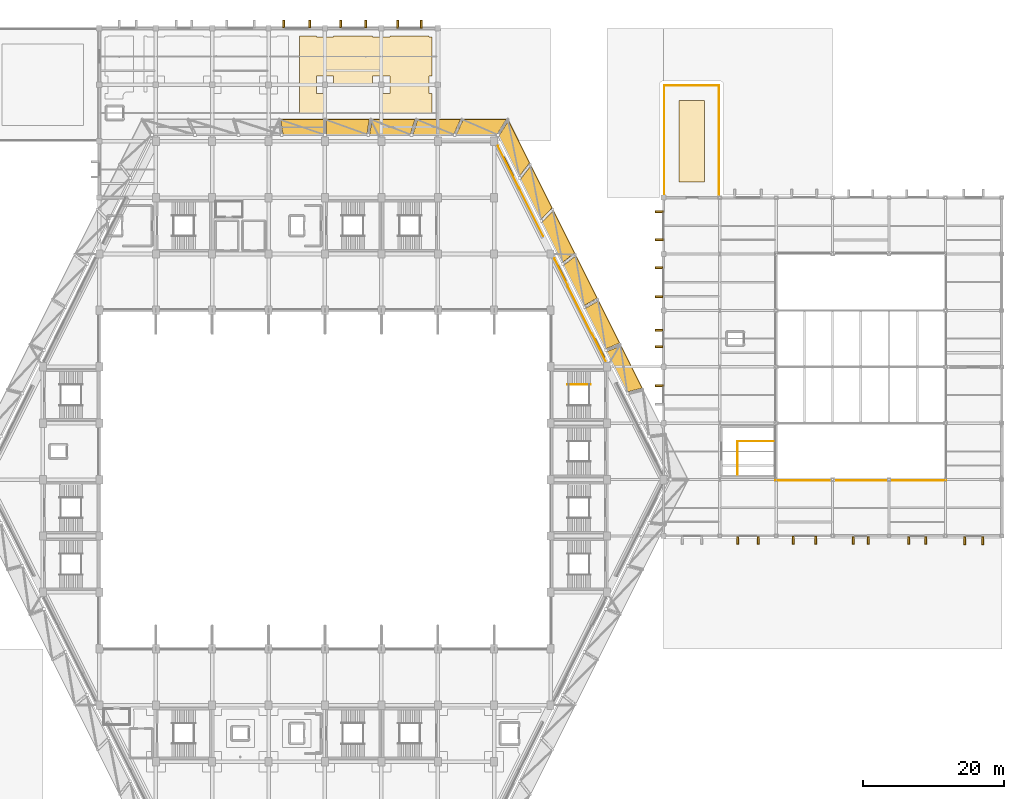
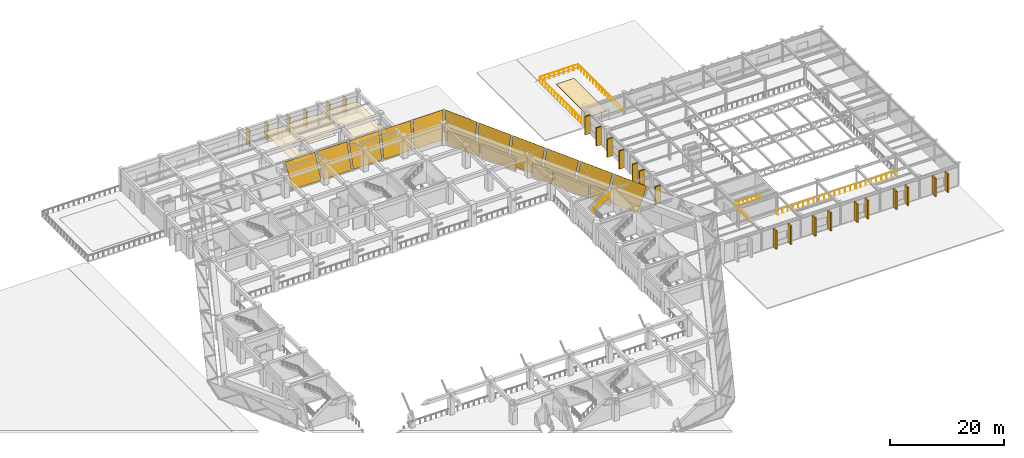
# One storey, part 45 of 46: 41 coverings, 7 railings, 3 shading devices.
"""IFC4 building model written with IfcOpenShell, lengths in metres."""

from ifc_helpers import new_model, si_unit, direction, frame, origin, origin_2d, place, context, subcontext, project, spatial, polyline, rectangle, circle, outline, extrude, material, layer, layer_set, type_object, element, save


model = new_model("IFC4")

# Units and contexts
model_context = context("Model", 3, precision=1e-05, world=origin(), true_north=direction((0.0, 1.0)))
body_context = subcontext(model_context, "Body", "Model", "MODEL_VIEW")
ifc_project = project(units=[si_unit("LENGTHUNIT", "METRE"), si_unit("AREAUNIT", "SQUARE_METRE"), si_unit("VOLUMEUNIT", "CUBIC_METRE"), si_unit("PLANEANGLEUNIT", "RADIAN"), si_unit("MASSUNIT", "GRAM", prefix="KILO")], contexts=[model_context])

# Site, building, storey
site_placement = place(None, origin())
site = spatial("IfcSite", under=ifc_project, at=site_placement, CompositionType="ELEMENT")
building_placement = place(site_placement, origin())
building = spatial("IfcBuilding", under=site, at=building_placement, Name="Tazarka Park Arena", CompositionType="ELEMENT")
storey_placement = place(building_placement, frame((0.0, 0.0, 10.199951171875)))
storey = spatial("IfcBuildingStorey", under=building, at=storey_placement, Name="L02", CompositionType="ELEMENT", Elevation=10.199951171875)

# Coverings
ifc_material_1 = material(Name="Dark ribbed perforated bronze-charcoal aluminium mesh", Category="aluminium")
ifc_layer_1 = layer(ifc_material_1, 0.06005859375, Name="Dark ribbed perforated bronze-charcoal aluminium mesh")
ifc_layer_set_1 = layer_set([ifc_layer_1], Name="Dark ribbed perforated bronze-charcoal aluminium mesh")
covering_type_1 = type_object("IfcCoveringType", Name="CLD-01", PredefinedType="CLADDING", material=ifc_layer_set_1)
covering_1_placement = place(storey_placement, frame((130.7958984375, 76.420654296875, 0.150146484375), z_axis=(-0.808492620467, -0.404263181245, 0.427680912526), x_axis=(-0.447225795617, 0.894421090814, 6.453659e-06)))
element("IfcCovering", 1, at=covering_1_placement, inside=storey, type_object=covering_type_1, Name="Folded Gem Lower Ribbed Mesh Facet 019", PredefinedType="CLADDING", context=body_context, shape_type="SweptSolid", body=[
    extrude(outline(polyline([(0.0, 0.0), (6.396486447603053, 0.0), (6.209019226510527, -5.144052563182119), (-0.475273629736041, -5.1441459541580175), (0.0, 0.0)])), origin(), (0.0, 0.0, -1.0), 0.080078125),
])
covering_2_placement = place(storey_placement, frame((127.73974609375, 82.533203125, 0.150146484375), z_axis=(-0.80849196679, -0.404254418718, 0.427690430782), x_axis=(-0.44722528058, 0.894421348309, -9.970868e-06)))
element("IfcCovering", 2, at=covering_2_placement, inside=storey, type_object=covering_type_1, Name="Folded Gem Lower Ribbed Mesh Facet 020", PredefinedType="CLADDING", context=body_context, shape_type="SweptSolid", body=[
    extrude(outline(polyline([(0.0, 0.0), (6.39659563332699, 0.0), (6.516512649140221, -5.144194402880329), (-0.1678893855664021, -5.144050111201226), (0.0, 0.0)])), origin(), (0.0, 0.0, -1.0), 0.080078125),
])
covering_3_placement = place(storey_placement, frame((124.683349609375, 88.6455078125, 0.150146484375), z_axis=(-0.808506063498, -0.404236161161, 0.427681039207), x_axis=(-0.447198603137, 0.894434687024, 1.45126e-07)))
element("IfcCovering", 3, at=covering_3_placement, inside=storey, type_object=covering_type_1, Name="Folded Gem Lower Ribbed Mesh Facet 021", PredefinedType="CLADDING", context=body_context, shape_type="SweptSolid", body=[
    extrude(outline(polyline([(0.0, 0.0), (6.39670481527617, 0.0), (6.824193838133479, -5.144096138167544), (0.13979180020671544, -5.144098238337328), (0.0, 0.0)])), origin(), (0.0, 0.0, -1.0), 0.080078125),
])
covering_4_placement = place(storey_placement, frame((121.627197265625, 94.758056640625, 0.150146484375), z_axis=(-0.808506336195, -0.404253168098, 0.427664448388), x_axis=(-0.447210803265, 0.894428587087, 6.598426e-06)))
element("IfcCovering", 4, at=covering_4_placement, inside=storey, type_object=covering_type_1, Name="Folded Gem Lower Ribbed Mesh Facet 022", PredefinedType="CLADDING", context=body_context, shape_type="SweptSolid", body=[
    extrude(outline(polyline([(0.0, 0.0), (6.39670481451516, 2.220446049250313e-16), (7.1316531821161675, -5.144000505618074), (0.4471419625926445, -5.144095993884061), (0.0, 0.0)])), origin(), (0.0, 0.0, -1.0), 0.080078125),
])
covering_5_placement = place(storey_placement, frame((118.57080078125, 100.87060546875, 0.150146484375), z_axis=(-0.808499205731, -0.404241167467, 0.427689271384), x_axis=(-0.447207495508, 0.894430240964, -3.226851e-06)))
element("IfcCovering", 5, at=covering_5_placement, inside=storey, type_object=covering_type_1, Name="Folded Gem Lower Ribbed Mesh Facet 023", PredefinedType="CLADDING", context=body_context, shape_type="SweptSolid", body=[
    extrude(outline(polyline([(0.0, 0.0), (6.396486448149249, 0.0), (7.438856613640228, -5.144145954896959), (0.7544545760501066, -5.144099258496368), (0.0, 0.0)])), origin(), (0.0, 0.0, -1.0), 0.080078125),
])
covering_6_placement = place(storey_placement, frame((115.5146484375, 106.983154296875, 0.150146484375), z_axis=(-0.808506336195, -0.404253168098, 0.427664448388), x_axis=(-0.4472135955, 0.894427191, 0.0)))
element("IfcCovering", 6, at=covering_6_placement, inside=storey, type_object=covering_type_1, Name="Folded Gem Lower Ribbed Mesh Facet 024", PredefinedType="CLADDING", context=body_context, shape_type="SweptSolid", body=[
    extrude(outline(polyline([(0.0, 0.0), (6.3964864483313075, 0.0), (7.746315960334721, -5.144052564035382), (1.0621322893124003, -5.144052564035382), (0.0, 0.0)])), origin(), (0.0, 0.0, -1.0), 0.080078125),
])
covering_7_placement = place(storey_placement, frame((112.35986328125, 112.89990234375, 0.150146484375), z_axis=(0.0, -0.903917504801, 0.427706844128), x_axis=(-1.0, 0.0, 0.0)))
element("IfcCovering", 7, at=covering_7_placement, inside=storey, type_object=covering_type_1, Name="Folded Gem Lower Ribbed Mesh Facet 025", PredefinedType="CLADDING", context=body_context, shape_type="SweptSolid", body=[
    extrude(outline(polyline([(0.0, 0.0), (5.746337890625, 0.0), (4.715576171875, -5.144166717706446), (-1.3486328125, -5.144166717706446), (0.0, 0.0)])), origin(), (0.0, 0.0, -1.0), 0.080078125),
])
covering_8_placement = place(storey_placement, frame((106.220703125, 112.89990234375, 0.150146484375), z_axis=(0.0, -0.903917504801, 0.427706844128), x_axis=(-1.0, 0.0, 0.0)))
element("IfcCovering", 8, at=covering_8_placement, inside=storey, type_object=covering_type_1, Name="Folded Gem Lower Ribbed Mesh Facet 026", PredefinedType="CLADDING", context=body_context, shape_type="SweptSolid", body=[
    extrude(outline(polyline([(0.0, 0.0), (5.74609375, 0.0), (5.055419921875, -5.144166717706446), (-1.0087890625, -5.144166717706446), (0.0, 0.0)])), origin(), (0.0, 0.0, -1.0), 0.080078125),
])
covering_9_placement = place(storey_placement, frame((100.081787109375, 112.89990234375, 0.150146484375), z_axis=(0.0, -0.903917504801, 0.427706844128), x_axis=(-1.0, 0.0, 0.0)))
element("IfcCovering", 9, at=covering_9_placement, inside=storey, type_object=covering_type_1, Name="Folded Gem Lower Ribbed Mesh Facet 027", PredefinedType="CLADDING", context=body_context, shape_type="SweptSolid", body=[
    extrude(outline(polyline([(0.0, 0.0), (5.746337890625, 0.0), (5.3955078125, -5.144166717706446), (-0.668701171875, -5.144166717706446), (0.0, 0.0)])), origin(), (0.0, 0.0, -1.0), 0.080078125),
])
covering_10_placement = place(storey_placement, frame((93.942626953125, 112.89990234375, 0.150146484375), z_axis=(0.0, -0.903917504801, 0.427706844128), x_axis=(-1.0, 0.0, 0.0)))
element("IfcCovering", 10, at=covering_10_placement, inside=storey, type_object=covering_type_1, Name="Folded Gem Lower Ribbed Mesh Facet 028", PredefinedType="CLADDING", context=body_context, shape_type="SweptSolid", body=[
    extrude(outline(polyline([(0.0, 0.0), (5.746337890625, 0.0), (5.7353515625, -5.144166717706446), (-0.328857421875, -5.144166717706446), (0.0, 0.0)])), origin(), (0.0, 0.0, -1.0), 0.080078125),
])
covering_11_placement = place(storey_placement, frame((87.8037109375, 112.89990234375, 0.150146484375), z_axis=(0.0, -0.903917504801, 0.427706844128), x_axis=(-1.0, 0.0, 0.0)))
element("IfcCovering", 11, at=covering_11_placement, inside=storey, type_object=covering_type_1, Name="Folded Gem Lower Ribbed Mesh Facet 029", PredefinedType="CLADDING", context=body_context, shape_type="SweptSolid", body=[
    extrude(outline(polyline([(0.0, 0.0), (5.746337890625, 0.0), (6.0751953125, -5.144166717706446), (0.010986328125, -5.144166717706446), (0.0, 0.0)])), origin(), (0.0, 0.0, -1.0), 0.080078125),
])
covering_12_placement = place(storey_placement, frame((114.015869140625, 108.359619140625, 0.0), z_axis=(0.0, 0.0, 1.0), x_axis=(0.447290848419, -0.89438856037, 0.0)))
element("IfcCovering", 12, at=covering_12_placement, inside=storey, type_object=covering_type_1, Name="Ribbed Metal Mesh Cladding EW-L02-0215", PredefinedType="CLADDING", context=body_context, shape_type="SweptSolid", body=[
    extrude(rectangle(XDim=6.718017578125, YDim=0.06005859375, at=origin_2d()), origin(), (0.0, 0.0, 1.0), 3.0),
])
covering_13_placement = place(storey_placement, frame((117.308349609375, 101.797119140625, 0.0), z_axis=(0.0, 0.0, 1.0), x_axis=(0.447290848419, -0.89438856037, 0.0)))
element("IfcCovering", 13, at=covering_13_placement, inside=storey, type_object=covering_type_1, Name="Ribbed Metal Mesh Cladding EW-L02-0216", PredefinedType="CLADDING", context=body_context, shape_type="SweptSolid", body=[
    extrude(rectangle(XDim=7.366455078125, YDim=0.06005859375, at=origin_2d()), origin(), (0.0, 0.0, 1.0), 3.0),
])
covering_14_placement = place(storey_placement, frame((121.46240234375, 93.511474609375, 0.0), z_axis=(0.0, 0.0, 1.0), x_axis=(0.447290848419, -0.89438856037, 0.0)))
element("IfcCovering", 14, at=covering_14_placement, inside=storey, type_object=covering_type_1, Name="Ribbed Metal Mesh Cladding EW-L02-0217", PredefinedType="CLADDING", context=body_context, shape_type="SweptSolid", body=[
    extrude(rectangle(XDim=4.16259765625, YDim=0.06005859375, at=origin_2d()), origin(), (0.0, 0.0, 1.0), 3.0),
])
covering_15_placement = place(storey_placement, frame((124.138671875, 88.0693359375, 0.0), z_axis=(0.0, 0.0, 1.0), x_axis=(0.447290848419, -0.89438856037, 0.0)))
element("IfcCovering", 15, at=covering_15_placement, inside=storey, type_object=covering_type_1, Name="Ribbed Metal Mesh Cladding EW-L02-0218", PredefinedType="CLADDING", context=body_context, shape_type="SweptSolid", body=[
    extrude(rectangle(XDim=7.36669921875, YDim=0.06005859375, at=origin_2d()), origin(), (0.0, 0.0, 1.0), 3.0),
])
covering_16_placement = place(storey_placement, frame((126.8955078125, 82.66748046875, 0.0), z_axis=(0.0, 0.0, 1.0), x_axis=(0.447290848419, -0.89438856037, 0.0)))
element("IfcCovering", 16, at=covering_16_placement, inside=storey, type_object=covering_type_1, Name="Ribbed Metal Mesh Cladding EW-L02-0219", PredefinedType="CLADDING", context=body_context, shape_type="SweptSolid", body=[
    extrude(rectangle(XDim=4.16259765625, YDim=0.06005859375, at=origin_2d()), origin(), (0.0, 0.0, 1.0), 3.0),
])
for number, where, z_axis, x_axis, name in (
    (17, (98.344970703125, 128.60009765625, 0.0), (0.0, 0.0, 1.0), (1.0, 0.0, 0.0), "Window Reveal Brise-Soleil Fin L02-0031-1"),
    (18, (101.655029296875, 128.60009765625, 0.0), (0.0, 0.0, 1.0), (1.0, 0.0, 0.0), "Window Reveal Brise-Soleil Fin L02-0031-2"),
    (19, (90.2451171875, 128.610107421875, 0.0), (0.0, 0.0, 1.0), (1.0, 0.0, 0.0), "Window Reveal Brise-Soleil Fin L02-0032-1"),
    (20, (93.7548828125, 128.610107421875, 0.0), (0.0, 0.0, 1.0), (1.0, 0.0, 0.0), "Window Reveal Brise-Soleil Fin L02-0032-2"),
    (21, (82.14501953125, 128.6201171875, 0.0), (0.0, 0.0, 1.0), (1.0, 0.0, 0.0), "Window Reveal Brise-Soleil Fin L02-0033-1"),
    (22, (85.85498046875, 128.6201171875, 0.0), (0.0, 0.0, 1.0), (1.0, 0.0, 0.0), "Window Reveal Brise-Soleil Fin L02-0033-2"),
):
    element("IfcCovering", number, at=place(storey_placement, frame(where, z_axis=z_axis, x_axis=x_axis)), inside=storey, type_object=covering_type_1, Name=name, PredefinedType="CLADDING", context=body_context, shape_type="SweptSolid", body=[
        extrude(rectangle(XDim=0.280029296875, YDim=1.10009765625, at=origin_2d()), origin(), (0.0, 0.0, 1.0), 3.60009765625),
    ])
for number, where, z_axis, x_axis, name in (
    (23, (135.360107421875, 82.820068359375, 0.0), (0.0, 0.0, 1.0), (0.0, 1.0, 0.0), "Window Reveal Brise-Soleil Fin L02-0038-1"),
    (24, (135.360107421875, 85.179931640625, 0.0), (0.0, 0.0, 1.0), (0.0, 1.0, 0.0), "Window Reveal Brise-Soleil Fin L02-0038-2"),
    (25, (135.409912109375, 77.280029296875, 0.0), (0.0, 0.0, 1.0), (0.0, 1.0, 0.0), "Window Reveal Brise-Soleil Fin L02-0039-2"),
    (26, (149.47998046875, 55.375, 0.0), (0.0, 0.0, 1.0), (-1.0, 0.0, 0.0), "Window Reveal Brise-Soleil Fin L02-0041-1"),
    (27, (146.52001953125, 55.375, 0.0), (0.0, 0.0, 1.0), (-1.0, 0.0, 0.0), "Window Reveal Brise-Soleil Fin L02-0041-2"),
    (28, (157.580078125, 55.4150390625, 0.0), (0.0, 0.0, 1.0), (-1.0, 0.0, 0.0), "Window Reveal Brise-Soleil Fin L02-0042-1"),
    (29, (154.419921875, 55.4150390625, 0.0), (0.0, 0.0, 1.0), (-1.0, 0.0, 0.0), "Window Reveal Brise-Soleil Fin L02-0042-2"),
    (30, (165.080078125, 55.364990234375, 0.0), (0.0, 0.0, 1.0), (-1.0, 0.0, 0.0), "Window Reveal Brise-Soleil Fin L02-0043-1"),
    (31, (162.919921875, 55.364990234375, 0.0), (0.0, 0.0, 1.0), (-1.0, 0.0, 0.0), "Window Reveal Brise-Soleil Fin L02-0043-2"),
    (32, (173.179931640625, 55.35498046875, 0.0), (0.0, 0.0, 1.0), (-1.0, 0.0, 0.0), "Window Reveal Brise-Soleil Fin L02-0044-1"),
    (33, (170.820068359375, 55.35498046875, 0.0), (0.0, 0.0, 1.0), (-1.0, 0.0, 0.0), "Window Reveal Brise-Soleil Fin L02-0044-2"),
    (34, (181.280029296875, 55.344970703125, 0.0), (0.0, 0.0, 1.0), (-1.0, 0.0, 0.0), "Window Reveal Brise-Soleil Fin L02-0045-1"),
    (35, (178.719970703125, 55.344970703125, 0.0), (0.0, 0.0, 1.0), (-1.0, 0.0, 0.0), "Window Reveal Brise-Soleil Fin L02-0045-2"),
    (36, (135.4150390625, 98.02001953125, 0.0), (0.0, 0.0, 1.0), (0.0, 1.0, 0.0), "Window Reveal Brise-Soleil Fin L02-0051-1"),
    (37, (135.4150390625, 101.97998046875, 0.0), (0.0, 0.0, 1.0), (0.0, 1.0, 0.0), "Window Reveal Brise-Soleil Fin L02-0051-2"),
    (38, (135.364990234375, 89.919921875, 0.0), (0.0, 0.0, 1.0), (0.0, 1.0, 0.0), "Window Reveal Brise-Soleil Fin L02-0052-1"),
    (39, (135.364990234375, 94.080078125, 0.0), (0.0, 0.0, 1.0), (0.0, 1.0, 0.0), "Window Reveal Brise-Soleil Fin L02-0052-2"),
):
    element("IfcCovering", number, at=place(storey_placement, frame(where, z_axis=z_axis, x_axis=x_axis)), inside=storey, type_object=covering_type_1, Name=name, PredefinedType="CLADDING", context=body_context, shape_type="SweptSolid", body=[
        extrude(rectangle(XDim=0.280029296875, YDim=1.10009765625, at=origin_2d()), origin(), (0.0, 0.0, 1.0), 3.909912109375),
    ])
ifc_material_2 = material(Name="Linear slatted timber-acoustic ceiling", Category="wood")
ifc_layer_2 = layer(ifc_material_2, 0.050048828125, Name="Linear slatted timber-acoustic ceiling")
ifc_layer_set_2 = layer_set([ifc_layer_2], Name="Linear slatted timber-acoustic ceiling")
covering_type_2 = type_object("IfcCoveringType", Name="CLG-02", PredefinedType="CEILING", material=ifc_layer_set_2)
covering_17_placement = place(storey_placement, frame((0.0, 0.0, 3.10009765625)))
element("IfcCovering", 40, at=covering_17_placement, inside=storey, type_object=covering_type_2, Name="Acoustic Ceiling Hospitality Suite 203 8", PredefinedType="CEILING", context=body_context, shape_type="SweptSolid", body=[
    extrude(outline(polyline([(86.77490234375, 126.949951171875), (86.77490234375, 126.77490234375), (89.22509765625, 126.77490234375), (89.22509765625, 126.949951171875), (94.77490234375, 126.949951171875), (94.77490234375, 126.77490234375), (97.22509765625, 126.77490234375), (97.22509765625, 126.949951171875), (102.77490234375, 126.949951171875), (102.77490234375, 126.77490234375), (103.199951171875, 126.77490234375), (103.199951171875, 121.22509765625), (102.77490234375, 121.22509765625), (102.77490234375, 118.77490234375), (103.199951171875, 118.77490234375), (103.199951171875, 115.949951171875), (96.10009765625, 115.949951171875), (96.10009765625, 118.77490234375), (97.22509765625, 118.77490234375), (97.22509765625, 121.22509765625), (94.77490234375, 121.22509765625), (94.77490234375, 119.800048828125), (89.22509765625, 119.800048828125), (89.22509765625, 121.22509765625), (86.77490234375, 121.22509765625), (86.77490234375, 118.77490234375), (87.89990234375, 118.77490234375), (87.89990234375, 115.949951171875), (84.35009765625, 115.949951171875), (84.35009765625, 126.949951171875), (86.77490234375, 126.949951171875)])), origin(), (0.0, 0.0, 1.0), 0.050048828125),
])

# Railings
ifc_material_3 = material(Name="Galvanised powder-coated architectural steel", Category="steel")
railing_type_1 = type_object("IfcRailingType", Name="GRD-01", PredefinedType="GUARDRAIL", material=ifc_material_3)
railing_1_placement = place(storey_placement, frame((143.89990234375, 119.89990234375, 0.0)))
element("IfcRailing", 41, at=railing_1_placement, inside=storey, type_object=railing_type_1, Name="Terrace Guardrail GR-01-L02-2-00", PredefinedType="GUARDRAIL", context=body_context, shape_type="SweptSolid", body=[
    extrude(circle(Radius=0.02392578125, at=origin_2d()), frame((0.0, 0.0, 1.09619140625), z_axis=(0.0, -1.0, 0.0), x_axis=(1.0, 0.0, 0.0)), (0.0, 0.0, 1.0), 15.679931640625),
    extrude(circle(Radius=0.02099609375, at=origin_2d()), origin(), (0.0, 0.0, 1.0), 1.072021484375),
    extrude(circle(Radius=0.02099609375, at=origin_2d()), frame((0.0, -1.04541015625, 0.0)), (0.0, 0.0, 1.0), 1.072021484375),
    extrude(circle(Radius=0.02099609375, at=origin_2d()), frame((0.0, -2.090576171875, 0.0)), (0.0, 0.0, 1.0), 1.072021484375),
    extrude(circle(Radius=0.02099609375, at=origin_2d()), frame((0.0, -3.135986328125, 0.0)), (0.0, 0.0, 1.0), 1.072021484375),
    extrude(circle(Radius=0.02099609375, at=origin_2d()), frame((0.0, -4.181396484375, 0.0)), (0.0, 0.0, 1.0), 1.072021484375),
    extrude(circle(Radius=0.02099609375, at=origin_2d()), frame((0.0, -5.2265625, 0.0)), (0.0, 0.0, 1.0), 1.072021484375),
    extrude(circle(Radius=0.02099609375, at=origin_2d()), frame((0.0, -6.27197265625, 0.0)), (0.0, 0.0, 1.0), 1.072021484375),
    extrude(circle(Radius=0.02099609375, at=origin_2d()), frame((0.0, -7.3173828125, 0.0)), (0.0, 0.0, 1.0), 1.072021484375),
    extrude(circle(Radius=0.02099609375, at=origin_2d()), frame((0.0, -8.362548828125, 0.0)), (0.0, 0.0, 1.0), 1.072021484375),
    extrude(circle(Radius=0.02099609375, at=origin_2d()), frame((0.0, -9.407958984375, 0.0)), (0.0, 0.0, 1.0), 1.072021484375),
    extrude(circle(Radius=0.02099609375, at=origin_2d()), frame((0.0, -10.453369140625, 0.0)), (0.0, 0.0, 1.0), 1.072021484375),
    extrude(circle(Radius=0.02099609375, at=origin_2d()), frame((0.0, -11.49853515625, 0.0)), (0.0, 0.0, 1.0), 1.072021484375),
    extrude(circle(Radius=0.02099609375, at=origin_2d()), frame((0.0, -12.5439453125, 0.0)), (0.0, 0.0, 1.0), 1.072021484375),
    extrude(circle(Radius=0.02099609375, at=origin_2d()), frame((0.0, -13.58935546875, 0.0)), (0.0, 0.0, 1.0), 1.072021484375),
    extrude(circle(Radius=0.02099609375, at=origin_2d()), frame((0.0, -14.634521484375, 0.0)), (0.0, 0.0, 1.0), 1.072021484375),
    extrude(circle(Radius=0.02099609375, at=origin_2d()), frame((0.0, -15.679931640625, 0.0)), (0.0, 0.0, 1.0), 1.072021484375),
])
railing_2_placement = place(storey_placement, frame((136.1201171875, 104.219970703125, 0.0)))
element("IfcRailing", 42, at=railing_2_placement, inside=storey, type_object=railing_type_1, Name="Terrace Guardrail GR-01-L02-2-02", PredefinedType="GUARDRAIL", context=body_context, shape_type="SweptSolid", body=[
    extrude(circle(Radius=0.02392578125, at=origin_2d()), frame((0.0, 0.0, 1.09619140625), z_axis=(0.0, 1.0, 0.0), x_axis=(-1.0, 0.0, 0.0)), (0.0, 0.0, 1.0), 15.679931640625),
    extrude(circle(Radius=0.02099609375, at=origin_2d()), origin(), (0.0, 0.0, 1.0), 1.072021484375),
    extrude(circle(Radius=0.02099609375, at=origin_2d()), frame((0.0, 1.04541015625, 0.0)), (0.0, 0.0, 1.0), 1.072021484375),
    extrude(circle(Radius=0.02099609375, at=origin_2d()), frame((0.0, 2.090576171875, 0.0)), (0.0, 0.0, 1.0), 1.072021484375),
    extrude(circle(Radius=0.02099609375, at=origin_2d()), frame((0.0, 3.135986328125, 0.0)), (0.0, 0.0, 1.0), 1.072021484375),
    extrude(circle(Radius=0.02099609375, at=origin_2d()), frame((0.0, 4.181396484375, 0.0)), (0.0, 0.0, 1.0), 1.072021484375),
    extrude(circle(Radius=0.02099609375, at=origin_2d()), frame((0.0, 5.2265625, 0.0)), (0.0, 0.0, 1.0), 1.072021484375),
    extrude(circle(Radius=0.02099609375, at=origin_2d()), frame((0.0, 6.27197265625, 0.0)), (0.0, 0.0, 1.0), 1.072021484375),
    extrude(circle(Radius=0.02099609375, at=origin_2d()), frame((0.0, 7.3173828125, 0.0)), (0.0, 0.0, 1.0), 1.072021484375),
    extrude(circle(Radius=0.02099609375, at=origin_2d()), frame((0.0, 8.362548828125, 0.0)), (0.0, 0.0, 1.0), 1.072021484375),
    extrude(circle(Radius=0.02099609375, at=origin_2d()), frame((0.0, 9.407958984375, 0.0)), (0.0, 0.0, 1.0), 1.072021484375),
    extrude(circle(Radius=0.02099609375, at=origin_2d()), frame((0.0, 10.453369140625, 0.0)), (0.0, 0.0, 1.0), 1.072021484375),
    extrude(circle(Radius=0.02099609375, at=origin_2d()), frame((0.0, 11.49853515625, 0.0)), (0.0, 0.0, 1.0), 1.072021484375),
    extrude(circle(Radius=0.02099609375, at=origin_2d()), frame((0.0, 12.5439453125, 0.0)), (0.0, 0.0, 1.0), 1.072021484375),
    extrude(circle(Radius=0.02099609375, at=origin_2d()), frame((0.0, 13.58935546875, 0.0)), (0.0, 0.0, 1.0), 1.072021484375),
    extrude(circle(Radius=0.02099609375, at=origin_2d()), frame((0.0, 14.634521484375, 0.0)), (0.0, 0.0, 1.0), 1.072021484375),
    extrude(circle(Radius=0.02099609375, at=origin_2d()), frame((0.0, 15.679931640625, 0.0)), (0.0, 0.0, 1.0), 1.072021484375),
])
railing_3_placement = place(storey_placement, frame((136.1201171875, 119.89990234375, 0.0)))
element("IfcRailing", 43, at=railing_3_placement, inside=storey, type_object=railing_type_1, Name="Terrace Guardrail GR-01-L02-2-03", PredefinedType="GUARDRAIL", context=body_context, shape_type="SweptSolid", body=[
    extrude(circle(Radius=0.02392578125, at=origin_2d()), frame((0.0, 0.0, 1.09619140625), z_axis=(1.0, 0.0, 0.0), x_axis=(0.0, 1.0, 0.0)), (0.0, 0.0, 1.0), 7.77978515625),
    extrude(circle(Radius=0.02099609375, at=origin_2d()), origin(), (0.0, 0.0, 1.0), 1.072021484375),
    extrude(circle(Radius=0.02099609375, at=origin_2d()), frame((0.972412109375, 0.0, 0.0)), (0.0, 0.0, 1.0), 1.072021484375),
    extrude(circle(Radius=0.02099609375, at=origin_2d()), frame((1.94482421875, 0.0, 0.0)), (0.0, 0.0, 1.0), 1.072021484375),
    extrude(circle(Radius=0.02099609375, at=origin_2d()), frame((2.91748046875, 0.0, 0.0)), (0.0, 0.0, 1.0), 1.072021484375),
    extrude(circle(Radius=0.02099609375, at=origin_2d()), frame((3.889892578125, 0.0, 0.0)), (0.0, 0.0, 1.0), 1.072021484375),
    extrude(circle(Radius=0.02099609375, at=origin_2d()), frame((4.8623046875, 0.0, 0.0)), (0.0, 0.0, 1.0), 1.072021484375),
    extrude(circle(Radius=0.02099609375, at=origin_2d()), frame((5.8349609375, 0.0, 0.0)), (0.0, 0.0, 1.0), 1.072021484375),
    extrude(circle(Radius=0.02099609375, at=origin_2d()), frame((6.807373046875, 0.0, 0.0)), (0.0, 0.0, 1.0), 1.072021484375),
    extrude(circle(Radius=0.02099609375, at=origin_2d()), frame((7.77978515625, 0.0, 0.0)), (0.0, 0.0, 1.0), 1.072021484375),
])
ifc_material_4 = material(Name="Brushed architectural stainless steel", Category="steel")
railing_type_2 = type_object("IfcRailingType", Name="HR-01", PredefinedType="HANDRAIL", material=ifc_material_4)
railing_4_placement = place(storey_placement, frame((122.3701171875, 77.489990234375, 2.400146484375)))
element("IfcRailing", 44, at=railing_4_placement, inside=storey, type_object=railing_type_2, Name="Stair Handrail ST22-L02-F2", PredefinedType="HANDRAIL", context=body_context, shape_type="SweptSolid", body=[
    extrude(circle(Radius=0.02392578125, at=origin_2d()), frame((0.0, 0.0, 0.89599609375), z_axis=(0.810008566192, 0.0, 0.586418044312), x_axis=(0.0, 1.0, 0.0)), (0.0, 0.0, 1.0), 4.092529296875),
    extrude(circle(Radius=0.02099609375, at=origin_2d()), origin(), (0.0, 0.0, 1.0), 0.871826171875),
    extrude(circle(Radius=0.02099609375, at=origin_2d()), frame((0.82861328125, 0.0, 0.60009765625)), (0.0, 0.0, 1.0), 0.871826171875),
    extrude(circle(Radius=0.02099609375, at=origin_2d()), frame((1.657470703125, 0.0, 1.199951171875)), (0.0, 0.0, 1.0), 0.871826171875),
    extrude(circle(Radius=0.02099609375, at=origin_2d()), frame((2.486328125, 0.0, 1.7998046875)), (0.0, 0.0, 1.0), 0.871826171875),
    extrude(circle(Radius=0.02099609375, at=origin_2d()), frame((3.31494140625, 0.0, 2.39990234375)), (0.0, 0.0, 1.0), 0.871826171875),
])
ifc_material_5 = material(Name="Galvanised powder-coated architectural steel", Category="steel")
railing_type_3 = type_object("IfcRailingType", Name="IGR-01", PredefinedType="GUARDRAIL", material=ifc_material_5)
railing_5_placement = place(storey_placement, frame((146.514892578125, 64.679931640625, 0.0)))
element("IfcRailing", 45, at=railing_5_placement, inside=storey, type_object=railing_type_3, Name="Stair Well Guardrail ST18-L02", PredefinedType="GUARDRAIL", context=body_context, shape_type="SweptSolid", body=[
    extrude(circle(Radius=0.02392578125, at=origin_2d()), frame((0.0, 0.0, 1.1259765625), z_axis=(0.0, 1.0, 0.0), x_axis=(-1.0, 0.0, 0.0)), (0.0, 0.0, 1.0), 4.77001953125),
    extrude(circle(Radius=0.02099609375, at=origin_2d()), origin(), (0.0, 0.0, 1.0), 1.101806640625),
    extrude(circle(Radius=0.02099609375, at=origin_2d()), frame((0.0, 0.794921875, 0.0)), (0.0, 0.0, 1.0), 1.101806640625),
    extrude(circle(Radius=0.02099609375, at=origin_2d()), frame((0.0, 1.590087890625, 0.0)), (0.0, 0.0, 1.0), 1.101806640625),
    extrude(circle(Radius=0.02099609375, at=origin_2d()), frame((0.0, 2.385009765625, 0.0)), (0.0, 0.0, 1.0), 1.101806640625),
    extrude(circle(Radius=0.02099609375, at=origin_2d()), frame((0.0, 3.179931640625, 0.0)), (0.0, 0.0, 1.0), 1.101806640625),
    extrude(circle(Radius=0.02099609375, at=origin_2d()), frame((0.0, 3.97509765625, 0.0)), (0.0, 0.0, 1.0), 1.101806640625),
    extrude(circle(Radius=0.02099609375, at=origin_2d()), frame((0.0, 4.77001953125, 0.0)), (0.0, 0.0, 1.0), 1.101806640625),
])
railing_6_placement = place(storey_placement, frame((146.514892578125, 69.449951171875, 0.0)))
element("IfcRailing", 46, at=railing_6_placement, inside=storey, type_object=railing_type_3, Name="Top Well Guardrail ST18-L02", PredefinedType="GUARDRAIL", context=body_context, shape_type="SweptSolid", body=[
    extrude(circle(Radius=0.02392578125, at=origin_2d()), frame((0.0, 0.0, 1.1259765625), z_axis=(1.0, 0.0, 0.0), x_axis=(0.0, 1.0, 0.0)), (0.0, 0.0, 1.0), 5.105224609375),
    extrude(circle(Radius=0.02099609375, at=origin_2d()), origin(), (0.0, 0.0, 1.0), 1.101806640625),
    extrude(circle(Radius=0.02099609375, at=origin_2d()), frame((0.850830078125, 0.0, 0.0)), (0.0, 0.0, 1.0), 1.101806640625),
    extrude(circle(Radius=0.02099609375, at=origin_2d()), frame((1.70166015625, 0.0, 0.0)), (0.0, 0.0, 1.0), 1.101806640625),
    extrude(circle(Radius=0.02099609375, at=origin_2d()), frame((2.552734375, 0.0, 0.0)), (0.0, 0.0, 1.0), 1.101806640625),
    extrude(circle(Radius=0.02099609375, at=origin_2d()), frame((3.403564453125, 0.0, 0.0)), (0.0, 0.0, 1.0), 1.101806640625),
    extrude(circle(Radius=0.02099609375, at=origin_2d()), frame((4.25439453125, 0.0, 0.0)), (0.0, 0.0, 1.0), 1.101806640625),
    extrude(circle(Radius=0.02099609375, at=origin_2d()), frame((5.105224609375, 0.0, 0.0)), (0.0, 0.0, 1.0), 1.101806640625),
])
railing_7_placement = place(storey_placement, frame((151.8798828125, 63.8798828125, 0.0)))
element("IfcRailing", 47, at=railing_7_placement, inside=storey, type_object=railing_type_3, Name="Interior Barrier Guardrail IGR-01-027", PredefinedType="GUARDRAIL", context=body_context, shape_type="SweptSolid", body=[
    extrude(circle(Radius=0.02392578125, at=origin_2d()), frame((0.0, 0.0, 1.1259765625), z_axis=(1.0, 0.0, 0.0), x_axis=(0.0, 1.0, 0.0)), (0.0, 0.0, 1.0), 24.240234375),
    extrude(circle(Radius=0.02099609375, at=origin_2d()), origin(), (0.0, 0.0, 1.0), 1.101806640625),
    extrude(circle(Radius=0.02099609375, at=origin_2d()), frame((1.053955078125, 0.0, 0.0)), (0.0, 0.0, 1.0), 1.101806640625),
    extrude(circle(Radius=0.02099609375, at=origin_2d()), frame((2.10791015625, 0.0, 0.0)), (0.0, 0.0, 1.0), 1.101806640625),
    extrude(circle(Radius=0.02099609375, at=origin_2d()), frame((3.161865234375, 0.0, 0.0)), (0.0, 0.0, 1.0), 1.101806640625),
    extrude(circle(Radius=0.02099609375, at=origin_2d()), frame((4.215576171875, 0.0, 0.0)), (0.0, 0.0, 1.0), 1.101806640625),
    extrude(circle(Radius=0.02099609375, at=origin_2d()), frame((5.26953125, 0.0, 0.0)), (0.0, 0.0, 1.0), 1.101806640625),
    extrude(circle(Radius=0.02099609375, at=origin_2d()), frame((6.323486328125, 0.0, 0.0)), (0.0, 0.0, 1.0), 1.101806640625),
    extrude(circle(Radius=0.02099609375, at=origin_2d()), frame((7.37744140625, 0.0, 0.0)), (0.0, 0.0, 1.0), 1.101806640625),
    extrude(circle(Radius=0.02099609375, at=origin_2d()), frame((8.431396484375, 0.0, 0.0)), (0.0, 0.0, 1.0), 1.101806640625),
    extrude(circle(Radius=0.02099609375, at=origin_2d()), frame((9.4853515625, 0.0, 0.0)), (0.0, 0.0, 1.0), 1.101806640625),
    extrude(circle(Radius=0.02099609375, at=origin_2d()), frame((10.539306640625, 0.0, 0.0)), (0.0, 0.0, 1.0), 1.101806640625),
    extrude(circle(Radius=0.02099609375, at=origin_2d()), frame((11.59326171875, 0.0, 0.0)), (0.0, 0.0, 1.0), 1.101806640625),
    extrude(circle(Radius=0.02099609375, at=origin_2d()), frame((12.64697265625, 0.0, 0.0)), (0.0, 0.0, 1.0), 1.101806640625),
    extrude(circle(Radius=0.02099609375, at=origin_2d()), frame((13.700927734375, 0.0, 0.0)), (0.0, 0.0, 1.0), 1.101806640625),
    extrude(circle(Radius=0.02099609375, at=origin_2d()), frame((14.7548828125, 0.0, 0.0)), (0.0, 0.0, 1.0), 1.101806640625),
    extrude(circle(Radius=0.02099609375, at=origin_2d()), frame((15.808837890625, 0.0, 0.0)), (0.0, 0.0, 1.0), 1.101806640625),
    extrude(circle(Radius=0.02099609375, at=origin_2d()), frame((16.86279296875, 0.0, 0.0)), (0.0, 0.0, 1.0), 1.101806640625),
    extrude(circle(Radius=0.02099609375, at=origin_2d()), frame((17.916748046875, 0.0, 0.0)), (0.0, 0.0, 1.0), 1.101806640625),
    extrude(circle(Radius=0.02099609375, at=origin_2d()), frame((18.970703125, 0.0, 0.0)), (0.0, 0.0, 1.0), 1.101806640625),
    extrude(circle(Radius=0.02099609375, at=origin_2d()), frame((20.024658203125, 0.0, 0.0)), (0.0, 0.0, 1.0), 1.101806640625),
    extrude(circle(Radius=0.02099609375, at=origin_2d()), frame((21.078369140625, 0.0, 0.0)), (0.0, 0.0, 1.0), 1.101806640625),
    extrude(circle(Radius=0.02099609375, at=origin_2d()), frame((22.13232421875, 0.0, 0.0)), (0.0, 0.0, 1.0), 1.101806640625),
    extrude(circle(Radius=0.02099609375, at=origin_2d()), frame((23.186279296875, 0.0, 0.0)), (0.0, 0.0, 1.0), 1.101806640625),
    extrude(circle(Radius=0.02099609375, at=origin_2d()), frame((24.240234375, 0.0, 0.0)), (0.0, 0.0, 1.0), 1.101806640625),
])

# Covering
ifc_material_6 = material(Name="Planted extensive sedum green-roof build-up")
ifc_layer_3 = layer(ifc_material_6, 0.080078125, Name="Planted extensive sedum green-roof build-up")
ifc_layer_set_3 = layer_set([ifc_layer_3], Name="Planted extensive sedum green-roof build-up")
covering_type_3 = type_object("IfcCoveringType", Name="RFG-02", PredefinedType="ROOFING", material=ifc_layer_set_3)
covering_18_placement = place(storey_placement, origin())
element("IfcCovering", 48, at=covering_18_placement, inside=storey, type_object=covering_type_3, Name="Planted Roof Garden Bed L02-2", PredefinedType="ROOFING", context=body_context, shape_type="SweptSolid", body=[
    extrude(outline(polyline([(141.800048828125, 117.800048828125), (141.800048828125, 106.239990234375), (138.219970703125, 106.239990234375), (138.219970703125, 117.800048828125), (141.800048828125, 117.800048828125)])), origin(), (0.0, 0.0, 1.0), 0.080078125),
])

# Shading devices
ifc_material_7 = material(Name="Dark ribbed perforated bronze-charcoal aluminium mesh", Category="aluminium")
shading_device_type = type_object("IfcShadingDeviceType", Name="SHD-02", PredefinedType="JALOUSIE", material=ifc_material_7)
for number, where, z_axis, x_axis, name in (
    (49, (114.069580078125, 108.386474609375, 0.0), (0.0, 0.0, 1.0), (0.447290848419, -0.89438856037, 0.0), "Perforated Mesh Screen EW-L02-0215"),
    (50, (121.515869140625, 93.538330078125, 0.0), (0.0, 0.0, 1.0), (0.447290848419, -0.89438856037, 0.0), "Perforated Mesh Screen EW-L02-0217"),
    (51, (126.94921875, 82.694091796875, 0.0), (0.0, 0.0, 1.0), (0.447290848419, -0.89438856037, 0.0), "Perforated Mesh Screen EW-L02-0219"),
):
    element("IfcShadingDevice", number, at=place(storey_placement, frame(where, z_axis=z_axis, x_axis=x_axis)), inside=storey, type_object=shading_device_type, Name=name, PredefinedType="JALOUSIE", context=body_context, shape_type="SweptSolid", body=[
        extrude(rectangle(XDim=3.0, YDim=0.139892578125, at=origin_2d()), origin(), (0.0, 0.0, 1.0), 3.0),
    ])

save(model, "model.ifc")
